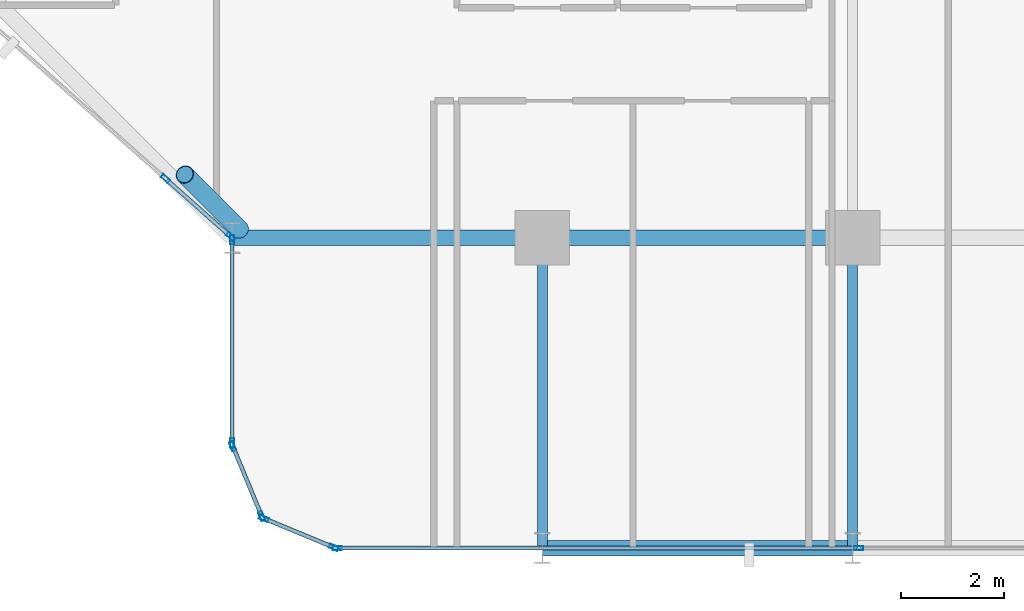
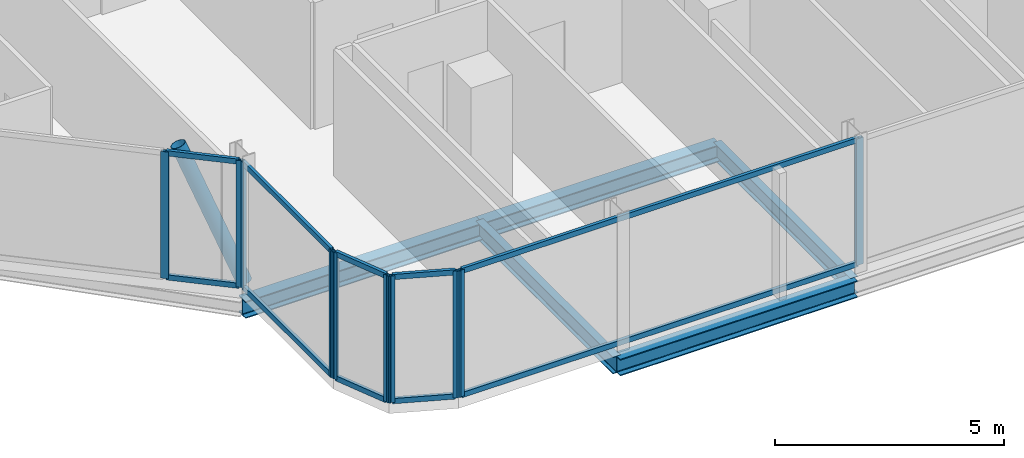
# One storey, part 4 of 29: 21 members, 5 beams, 5 elements without a shape of their own.
"""IFC4 building model written with IfcOpenShell, lengths in metres."""

from ifc_helpers import new_model, si_unit, direction, frame, origin, origin_2d, place, context, subcontext, project, spatial, hollow_rectangle, hollow_circle, i_section, extrude, material, layer, layer_set, material_profile, profile_set, type_object, element, aggregate, save


model = new_model("IFC4")

# Units and contexts
model_context = context("Model", 3, precision=1e-05, world=origin(), true_north=direction((0.0, 1.0)))
body_context = subcontext(model_context, "Body", "Model", "MODEL_VIEW")
ifc_project = project(units=[si_unit("LENGTHUNIT", "METRE"), si_unit("AREAUNIT", "SQUARE_METRE"), si_unit("VOLUMEUNIT", "CUBIC_METRE"), si_unit("PLANEANGLEUNIT", "RADIAN"), si_unit("MASSUNIT", "GRAM", prefix="KILO")], contexts=[model_context])

# Site, building, storey
site_placement = place(None, origin())
site = spatial("IfcSite", under=ifc_project, at=site_placement, CompositionType="ELEMENT")
building_placement = place(site_placement, origin())
building = spatial("IfcBuilding", under=site, at=building_placement, Name="Keshet Zoharim Tower", CompositionType="ELEMENT")
storey_placement = place(building_placement, frame((0.0, 0.0, 94.60009765625)))
storey = spatial("IfcBuildingStorey", under=building, at=storey_placement, Name="L22", CompositionType="ELEMENT", Elevation=94.60009765625)

# Beams
ifc_material_1 = material(Name="Steel S355", Category="steel")
ifc_material_profile_1 = material_profile(ifc_material_1, i_section(OverallWidth=0.18994140625, OverallDepth=0.449951171875, WebThickness=0.009521484375, FlangeThickness=0.0146484375, FilletRadius=0.02099609375, at=origin_2d()), Name="IPE450")
ifc_profile_set_1 = profile_set([ifc_material_profile_1], Name="Steel S355")
beam_type_1 = type_object("IfcBeamType", Name="BM-PRI-IP450", PredefinedType="BEAM", material=ifc_profile_set_1)
for number, where, z_axis, x_axis, name in (
    (1, (27.0, 0.699951171875, -0.5400390625), (0.0, 1.0, 0.0), (-1.0, 0.0, 0.0), "L22 Primary Girder Y-004"),
    (2, (33.0, 0.699951171875, -0.5400390625), (0.0, 1.0, 0.0), (-1.0, 0.0, 0.0), "L22 Primary Girder Y-005"),
):
    element("IfcBeam", number, at=place(storey_placement, frame(where, z_axis=z_axis, x_axis=x_axis)), inside=storey, type_object=beam_type_1, Name=name, PredefinedType="BEAM", context=body_context, shape_type="SweptSolid", body=[
        extrude(i_section(OverallWidth=0.18994140625, OverallDepth=0.449951171875, WebThickness=0.009521484375, FlangeThickness=0.0146484375, FilletRadius=0.02099609375, at=origin_2d()), origin(), (0.0, 0.0, 1.0), 6.0),
    ])
ifc_material_profile_2 = material_profile(ifc_material_1, i_section(OverallWidth=0.300048828125, OverallDepth=0.449951171875, WebThickness=0.013916015625, FlangeThickness=0.02587890625, FilletRadius=0.027099609375, at=origin_2d()), Name="HEB450")
ifc_profile_set_2 = profile_set([ifc_material_profile_2], Name="Steel S355")
beam_type_2 = type_object("IfcBeamType", Name="BM-WEB-HB450", PredefinedType="BEAM", material=ifc_profile_set_2)
for number, where, z_axis, x_axis, name in (
    (3, (27.0, 0.699951171875, -0.5400390625), (1.0, 0.0, 0.0), (0.0, 1.0, 0.0), "L22 Primary Girder X-001"),
    (4, (21.0, 6.699951171875, -0.5400390625), (1.0, 0.0, 0.0), (0.0, 1.0, 0.0), "L22 Primary Girder X-005"),
    (5, (27.0, 6.699951171875, -0.5400390625), (1.0, 0.0, 0.0), (0.0, 1.0, 0.0), "L22 Primary Girder X-006"),
):
    element("IfcBeam", number, at=place(storey_placement, frame(where, z_axis=z_axis, x_axis=x_axis)), inside=storey, type_object=beam_type_2, Name=name, PredefinedType="BEAM", context=body_context, shape_type="SweptSolid", body=[
        extrude(i_section(OverallWidth=0.300048828125, OverallDepth=0.449951171875, WebThickness=0.013916015625, FlangeThickness=0.02587890625, FilletRadius=0.027099609375, at=origin_2d()), origin(), (0.0, 0.0, 1.0), 6.0),
    ])

# Curtain wall, members
ifc_material_2 = material(Name="Aluminium 6063-T6", Category="aluminium")
ifc_layer = layer(ifc_material_2, 0.159912109375)
ifc_layer_set = layer_set([ifc_layer], Name="Aluminium 6063-T6")
curtain_wall_type = type_object("IfcCurtainWallType", Name="CW-SYS-03", PredefinedType="NOTDEFINED", material=ifc_layer_set)
curtain_wall_1_placement = place(storey_placement, origin())
curtain_wall_1 = element("IfcCurtainWall", 6, at=curtain_wall_1_placement, inside=storey, type_object=curtain_wall_type, Name="L22 Unitised Curtain Wall 03 Part 3", PredefinedType="NOTDEFINED")
ifc_material_profile_3 = material_profile(ifc_material_2, hollow_rectangle(XDim=0.080078125, YDim=0.179931640625, WallThickness=0.00439453125, at=origin_2d()), Name="MUL-80x180")
ifc_profile_set_3 = profile_set([ifc_material_profile_3], Name="Aluminium 6063-T6")
member_type_1 = type_object("IfcMemberType", Name="CWM-M18", PredefinedType="MULLION", material=ifc_profile_set_3)
member_1_placement = place(storey_placement, frame((33.11865234375, 0.699951171875, 0.0), z_axis=(0.0, 0.0, 1.0), x_axis=(0.0, -1.0, 0.0)))
member_1 = element("IfcMember", 7, at=member_1_placement, type_object=member_type_1, Name="CW-03 mullion 2", PredefinedType="MULLION", context=body_context, shape_type="SweptSolid", body=[
    extrude(hollow_rectangle(XDim=0.080078125, YDim=0.179931640625, WallThickness=0.00439453125, at=origin_2d()), origin(), (0.0, 0.0, 1.0), 3.385009765625),
])
member_2_placement = place(storey_placement, frame((23.034912109375, 0.699951171875, 0.0), z_axis=(0.0, 0.0, 1.0), x_axis=(0.0, -1.0, 0.0)))
member_2 = element("IfcMember", 8, at=member_2_placement, type_object=member_type_1, Name="CW-03 mullion 3", PredefinedType="MULLION", context=body_context, shape_type="SweptSolid", body=[
    extrude(hollow_rectangle(XDim=0.080078125, YDim=0.179931640625, WallThickness=0.00439453125, at=origin_2d()), origin(), (0.0, 0.0, 1.0), 3.385009765625),
])

curtain_wall_2_placement = place(storey_placement, origin())
curtain_wall_2 = element("IfcCurtainWall", 9, at=curtain_wall_2_placement, inside=storey, type_object=curtain_wall_type, Name="L22 Unitised Curtain Wall 04", PredefinedType="NOTDEFINED")
member_3_placement = place(storey_placement, frame((22.9677734375, 0.71337890625, 0.0), z_axis=(0.0, 0.0, 1.0), x_axis=(-0.382851849847, -0.92380975372, 0.0)))
member_3 = element("IfcMember", 10, at=member_3_placement, type_object=member_type_1, Name="CW-03 mullion 1", PredefinedType="MULLION", context=body_context, shape_type="SweptSolid", body=[
    extrude(hollow_rectangle(XDim=0.080078125, YDim=0.179931640625, WallThickness=0.00439453125, at=origin_2d()), origin(), (0.0, 0.0, 1.0), 3.385009765625),
])
member_4_placement = place(storey_placement, frame((21.618408203125, 1.272705078125, 0.0), z_axis=(0.0, 0.0, 1.0), x_axis=(-0.382851849847, -0.92380975372, 0.0)))
member_4 = element("IfcMember", 11, at=member_4_placement, type_object=member_type_1, Name="CW-03 mullion 2", PredefinedType="MULLION", context=body_context, shape_type="SweptSolid", body=[
    extrude(hollow_rectangle(XDim=0.080078125, YDim=0.179931640625, WallThickness=0.00439453125, at=origin_2d()), origin(), (0.0, 0.0, 1.0), 3.385009765625),
])

curtain_wall_3_placement = place(storey_placement, origin())
curtain_wall_3 = element("IfcCurtainWall", 12, at=curtain_wall_3_placement, inside=storey, type_object=curtain_wall_type, Name="L22 Unitised Curtain Wall 05", PredefinedType="NOTDEFINED")
member_5_placement = place(storey_placement, frame((21.572509765625, 1.318359375, 0.0), z_axis=(0.0, 0.0, 1.0), x_axis=(-0.92380975372, -0.382851849847, 0.0)))
member_5 = element("IfcMember", 13, at=member_5_placement, type_object=member_type_1, Name="CW-03 mullion 1", PredefinedType="MULLION", context=body_context, shape_type="SweptSolid", body=[
    extrude(hollow_rectangle(XDim=0.080078125, YDim=0.179931640625, WallThickness=0.00439453125, at=origin_2d()), origin(), (0.0, 0.0, 1.0), 3.385009765625),
])
member_6_placement = place(storey_placement, frame((21.013427734375, 2.667724609375, 0.0), z_axis=(0.0, 0.0, 1.0), x_axis=(-0.92380975372, -0.382851849847, 0.0)))
member_6 = element("IfcMember", 14, at=member_6_placement, type_object=member_type_1, Name="CW-03 mullion 2", PredefinedType="MULLION", context=body_context, shape_type="SweptSolid", body=[
    extrude(hollow_rectangle(XDim=0.080078125, YDim=0.179931640625, WallThickness=0.00439453125, at=origin_2d()), origin(), (0.0, 0.0, 1.0), 3.385009765625),
])

curtain_wall_4_placement = place(storey_placement, origin())
curtain_wall_4 = element("IfcCurtainWall", 15, at=curtain_wall_4_placement, inside=storey, type_object=curtain_wall_type, Name="L22 Unitised Curtain Wall 06", PredefinedType="NOTDEFINED")
member_7_placement = place(storey_placement, frame((21.0, 2.735107421875, 0.0), z_axis=(0.0, 0.0, 1.0), x_axis=(-1.0, 0.0, 0.0)))
member_7 = element("IfcMember", 16, at=member_7_placement, type_object=member_type_1, Name="CW-03 mullion 1", PredefinedType="MULLION", context=body_context, shape_type="SweptSolid", body=[
    extrude(hollow_rectangle(XDim=0.080078125, YDim=0.179931640625, WallThickness=0.00439453125, at=origin_2d()), origin(), (0.0, 0.0, 1.0), 3.385009765625),
])
member_8_placement = place(storey_placement, frame((21.0, 6.6650390625, 0.0), z_axis=(0.0, 0.0, 1.0), x_axis=(-1.0, 0.0, 0.0)))
member_8 = element("IfcMember", 17, at=member_8_placement, type_object=member_type_1, Name="CW-03 mullion 2", PredefinedType="MULLION", context=body_context, shape_type="SweptSolid", body=[
    extrude(hollow_rectangle(XDim=0.080078125, YDim=0.179931640625, WallThickness=0.00439453125, at=origin_2d()), origin(), (0.0, 0.0, 1.0), 3.385009765625),
])

curtain_wall_5_placement = place(storey_placement, origin())
curtain_wall_5 = element("IfcCurtainWall", 18, at=curtain_wall_5_placement, inside=storey, type_object=curtain_wall_type, Name="L22 Unitised Curtain Wall 07", PredefinedType="NOTDEFINED")
member_9_placement = place(storey_placement, frame((20.973876953125, 6.72314453125, 0.0), z_axis=(0.0, 0.0, 1.0), x_axis=(-0.664360312857, -0.747412452867, 0.0)))
member_9 = element("IfcMember", 19, at=member_9_placement, type_object=member_type_1, Name="CW-03 mullion 1", PredefinedType="MULLION", context=body_context, shape_type="SweptSolid", body=[
    extrude(hollow_rectangle(XDim=0.080078125, YDim=0.179931640625, WallThickness=0.00439453125, at=origin_2d()), origin(), (0.0, 0.0, 1.0), 3.385009765625),
])
member_10_placement = place(storey_placement, frame((19.71044921875, 7.84619140625, 0.0), z_axis=(0.0, 0.0, 1.0), x_axis=(-0.664360312857, -0.747412452867, 0.0)))
member_10 = element("IfcMember", 20, at=member_10_placement, type_object=member_type_1, Name="CW-03 mullion 2", PredefinedType="MULLION", context=body_context, shape_type="SweptSolid", body=[
    extrude(hollow_rectangle(XDim=0.080078125, YDim=0.179931640625, WallThickness=0.00439453125, at=origin_2d()), origin(), (0.0, 0.0, 1.0), 3.385009765625),
])

# Member
ifc_material_profile_4 = material_profile(ifc_material_2, hollow_rectangle(XDim=0.080078125, YDim=0.139892578125, WallThickness=0.00390625, at=origin_2d()), Name="TRN-80x140")
ifc_profile_set_4 = profile_set([ifc_material_profile_4], Name="Aluminium 6063-T6")
member_type_2 = type_object("IfcMemberType", Name="CWT-T14", PredefinedType="USERDEFINED", material=ifc_profile_set_4)
member_11_placement = place(storey_placement, frame((33.083740234375, 0.699951171875, 0.034912109375), z_axis=(-1.0, 0.0, 0.0), x_axis=(0.0, -1.0, 0.0)))
member_11 = element("IfcMember", 21, at=member_11_placement, type_object=member_type_2, Name="CW-03 transom 2.1", ObjectType="TRANSOM", PredefinedType="USERDEFINED", context=body_context, shape_type="SweptSolid", body=[
    extrude(hollow_rectangle(XDim=0.080078125, YDim=0.139892578125, WallThickness=0.00390625, at=origin_2d()), origin(), (0.0, 0.0, 1.0), 10.013671875),
])

member_12_placement = place(storey_placement, frame((33.083740234375, 0.699951171875, 3.349853515625), z_axis=(-1.0, 0.0, 0.0), x_axis=(0.0, -1.0, 0.0)))
member_12 = element("IfcMember", 22, at=member_12_placement, type_object=member_type_2, Name="CW-03 transom 2.2", ObjectType="TRANSOM", PredefinedType="USERDEFINED", context=body_context, shape_type="SweptSolid", body=[
    extrude(hollow_rectangle(XDim=0.080078125, YDim=0.139892578125, WallThickness=0.00390625, at=origin_2d()), origin(), (0.0, 0.0, 1.0), 10.013671875),
])

aggregate(curtain_wall_1, [member_1, member_2, member_11, member_12])

member_13_placement = place(storey_placement, frame((22.935302734375, 0.726806640625, 0.034912109375), z_axis=(-0.92379209995, 0.382894445076, 0.0), x_axis=(-0.382894445076, -0.92379209995, 0.0)))
member_13 = element("IfcMember", 23, at=member_13_placement, type_object=member_type_2, Name="CW-03 transom 1.1", ObjectType="TRANSOM", PredefinedType="USERDEFINED", context=body_context, shape_type="SweptSolid", body=[
    extrude(hollow_rectangle(XDim=0.080078125, YDim=0.139892578125, WallThickness=0.00390625, at=origin_2d()), origin(), (0.0, 0.0, 1.0), 1.390625),
])

member_14_placement = place(storey_placement, frame((22.935302734375, 0.726806640625, 3.349853515625), z_axis=(-0.92379209995, 0.382894445076, 0.0), x_axis=(-0.382894445076, -0.92379209995, 0.0)))
member_14 = element("IfcMember", 24, at=member_14_placement, type_object=member_type_2, Name="CW-03 transom 1.2", ObjectType="TRANSOM", PredefinedType="USERDEFINED", context=body_context, shape_type="SweptSolid", body=[
    extrude(hollow_rectangle(XDim=0.080078125, YDim=0.139892578125, WallThickness=0.00390625, at=origin_2d()), origin(), (0.0, 0.0, 1.0), 1.390625),
])

aggregate(curtain_wall_2, [member_3, member_4, member_13, member_14])

member_15_placement = place(storey_placement, frame((21.55908203125, 1.3505859375, 0.034912109375), z_axis=(-0.382744609247, 0.923854189844, 0.0), x_axis=(-0.923854189844, -0.382744609247, 0.0)))
member_15 = element("IfcMember", 25, at=member_15_placement, type_object=member_type_2, Name="CW-03 transom 1.1", ObjectType="TRANSOM", PredefinedType="USERDEFINED", context=body_context, shape_type="SweptSolid", body=[
    extrude(hollow_rectangle(XDim=0.080078125, YDim=0.139892578125, WallThickness=0.00390625, at=origin_2d()), origin(), (0.0, 0.0, 1.0), 1.390625),
])

member_16_placement = place(storey_placement, frame((21.55908203125, 1.3505859375, 3.349853515625), z_axis=(-0.382744609247, 0.923854189844, 0.0), x_axis=(-0.923854189844, -0.382744609247, 0.0)))
member_16 = element("IfcMember", 26, at=member_16_placement, type_object=member_type_2, Name="CW-03 transom 1.2", ObjectType="TRANSOM", PredefinedType="USERDEFINED", context=body_context, shape_type="SweptSolid", body=[
    extrude(hollow_rectangle(XDim=0.080078125, YDim=0.139892578125, WallThickness=0.00390625, at=origin_2d()), origin(), (0.0, 0.0, 1.0), 1.390625),
])

aggregate(curtain_wall_3, [member_5, member_6, member_15, member_16])

member_17_placement = place(storey_placement, frame((21.0, 2.77001953125, 0.034912109375), z_axis=(0.0, 1.0, 0.0), x_axis=(-1.0, 0.0, 0.0)))
member_17 = element("IfcMember", 27, at=member_17_placement, type_object=member_type_2, Name="CW-03 transom 1.1", ObjectType="TRANSOM", PredefinedType="USERDEFINED", context=body_context, shape_type="SweptSolid", body=[
    extrude(hollow_rectangle(XDim=0.080078125, YDim=0.139892578125, WallThickness=0.00390625, at=origin_2d()), origin(), (0.0, 0.0, 1.0), 3.85986328125),
])

member_18_placement = place(storey_placement, frame((21.0, 2.77001953125, 3.349853515625), z_axis=(0.0, 1.0, 0.0), x_axis=(-1.0, 0.0, 0.0)))
member_18 = element("IfcMember", 28, at=member_18_placement, type_object=member_type_2, Name="CW-03 transom 1.2", ObjectType="TRANSOM", PredefinedType="USERDEFINED", context=body_context, shape_type="SweptSolid", body=[
    extrude(hollow_rectangle(XDim=0.080078125, YDim=0.139892578125, WallThickness=0.00390625, at=origin_2d()), origin(), (0.0, 0.0, 1.0), 3.85986328125),
])

aggregate(curtain_wall_4, [member_7, member_8, member_17, member_18])

member_19_placement = place(storey_placement, frame((20.94775390625, 6.74658203125, 0.034912109375), z_axis=(-0.747467505114, 0.664298373322, 0.0), x_axis=(-0.664298373322, -0.747467505114, 0.0)))
member_19 = element("IfcMember", 29, at=member_19_placement, type_object=member_type_2, Name="CW-03 transom 1.1", ObjectType="TRANSOM", PredefinedType="USERDEFINED", context=body_context, shape_type="SweptSolid", body=[
    extrude(hollow_rectangle(XDim=0.080078125, YDim=0.139892578125, WallThickness=0.00390625, at=origin_2d()), origin(), (0.0, 0.0, 1.0), 1.620361328125),
])

member_20_placement = place(storey_placement, frame((20.94775390625, 6.74658203125, 3.349853515625), z_axis=(-0.747467505114, 0.664298373322, 0.0), x_axis=(-0.664298373322, -0.747467505114, 0.0)))
member_20 = element("IfcMember", 30, at=member_20_placement, type_object=member_type_2, Name="CW-03 transom 1.2", ObjectType="TRANSOM", PredefinedType="USERDEFINED", context=body_context, shape_type="SweptSolid", body=[
    extrude(hollow_rectangle(XDim=0.080078125, YDim=0.139892578125, WallThickness=0.00390625, at=origin_2d()), origin(), (0.0, 0.0, 1.0), 1.620361328125),
])

aggregate(curtain_wall_5, [member_9, member_10, member_19, member_20])

ifc_material_profile_5 = material_profile(ifc_material_1, hollow_circle(Radius=0.177734375, WallThickness=0.012451171875, at=origin_2d()), Name="CHS355x12.5")
ifc_profile_set_5 = profile_set([ifc_material_profile_5], Name="Steel S355")
member_type_3 = type_object("IfcMemberType", Name="MB-BR-C355", PredefinedType="BRACE", material=ifc_profile_set_5)
member_21_placement = place(storey_placement, frame((21.14599609375, 6.864013671875, 0.0), z_axis=(-0.286558246199, 0.286558246199, 0.914203884848), x_axis=(-0.707106781187, -0.707106781187, 0.0)))
element("IfcMember", 31, at=member_21_placement, inside=storey, type_object=member_type_3, Name="L22 Perimeter Tube Brace 01", PredefinedType="BRACE", context=body_context, shape_type="SweptSolid", body=[
    extrude(hollow_circle(Radius=0.177734375, WallThickness=0.012451171875, at=origin_2d()), origin(), (0.0, 0.0, 1.0), 3.70263671875),
])

save(model, "model.ifc")
